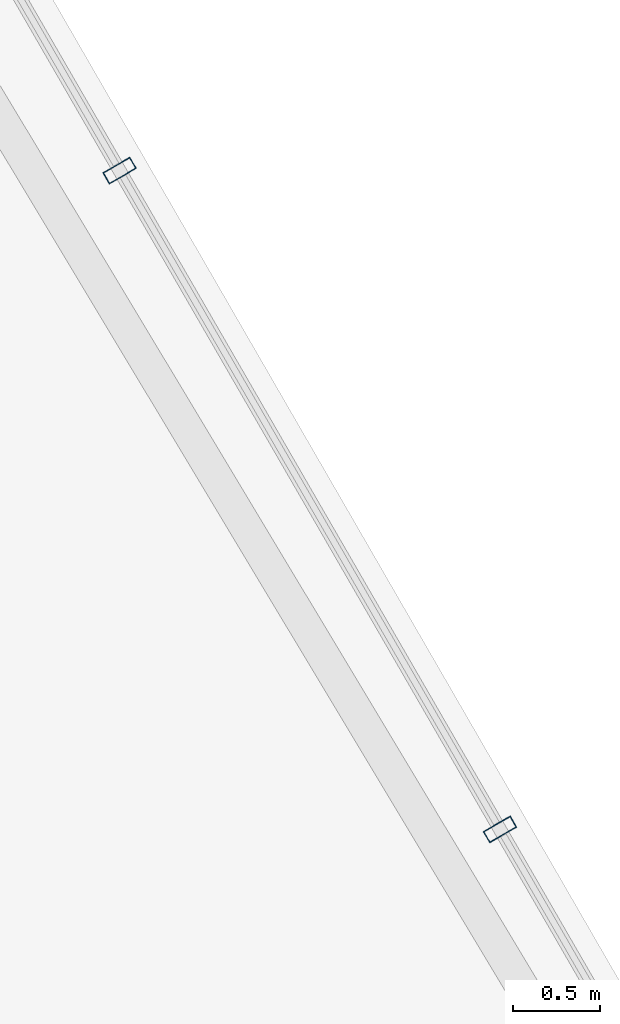
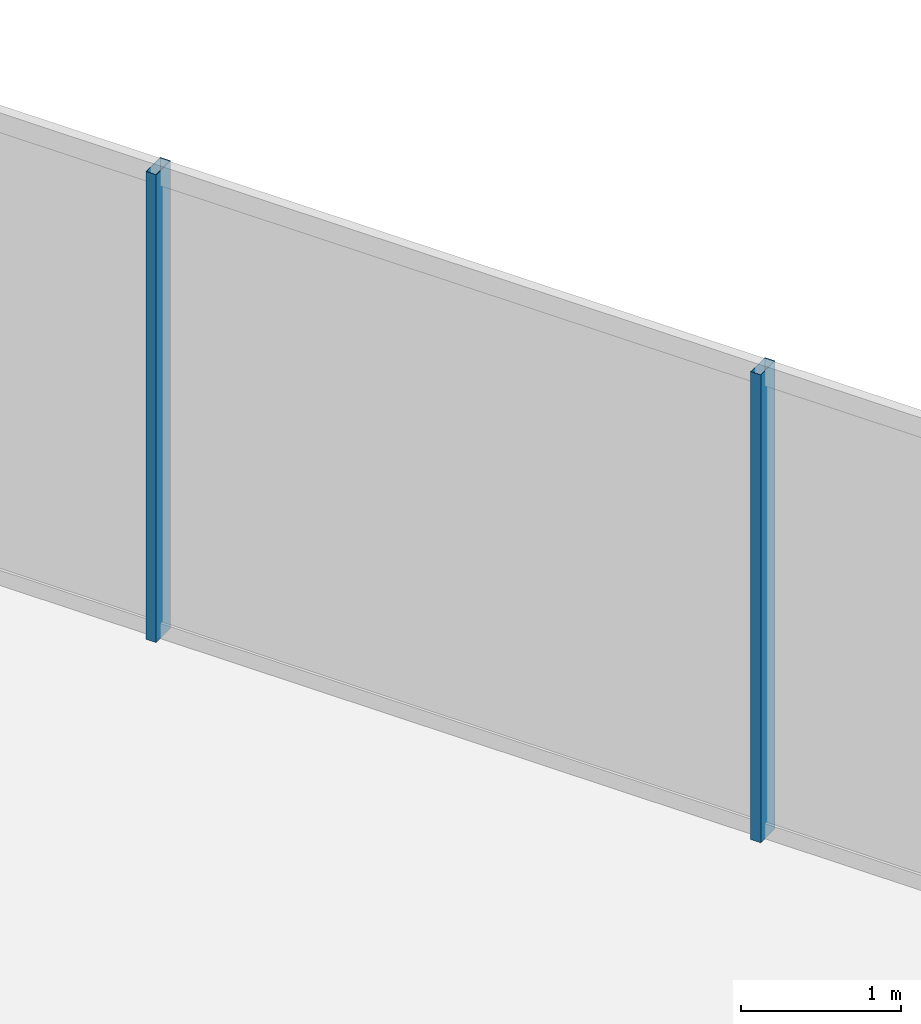
# One storey, part 19 of 29: 2 members, 1 element without a shape of its own.
"""IFC4 building model written with IfcOpenShell, lengths in metres."""

import ifcopenshell
import ifcopenshell.guid

model = None  # the IFC model being written
_history = None  # IfcOwnerHistory: only IFC2X3 demands one
_inside = {}  # id of a spatial element -> (the spatial element, [elements in it])
_under = {}  # id of a project, library or spatial element -> (it, [spatial elements below it])
_declared = {}  # id of a project -> (the project, [libraries it declares])
_typed = {}  # id of a type object -> (the type object, [elements of that type])
_made_of = {}  # id of a material, layer set ... -> (it, [elements and type objects made of it])


def new_model(schema):
    """Start an empty IFC model of exactly this schema.

    Asked for "IFC4X3", IfcOpenShell would pick the latest addendum, in which some entities
    have other attributes; the version numbers below select the first issue.
    IFC2X3 requires an IfcOwnerHistory on every rooted entity: one is made here for all.
    """
    global model, _history
    if schema == "IFC4X3":
        model = ifcopenshell.file(schema_version=(4, 3, 0, 0))
    else:
        model = ifcopenshell.file(schema=schema)
    _inside.clear()
    _under.clear()
    _declared.clear()
    _typed.clear()
    _made_of.clear()
    _history = None
    if model.schema == "IFC2X3":
        org = make("IfcOrganization", Name="unknown")
        user = make(
            "IfcPersonAndOrganization",
            ThePerson=make("IfcPerson", FamilyName="unknown"),
            TheOrganization=org,
        )
        app = make(
            "IfcApplication",
            ApplicationDeveloper=org,
            Version="unknown",
            ApplicationFullName="unknown",
            ApplicationIdentifier="unknown",
        )
        _history = make(
            "IfcOwnerHistory",
            OwningUser=user,
            OwningApplication=app,
            ChangeAction="ADDED",
            CreationDate=0,
        )
    return model


def make(cls, **values):
    """One entity of the class cls with the attributes given. An attribute that is None is left unset."""
    return model.create_entity(
        cls, **{name: value for name, value in values.items() if value is not None}
    )


def rooted(cls, **values):
    """An entity with a GlobalId (a new one), such as an element, a storey or a relation."""
    return make(cls, GlobalId=ifcopenshell.guid.new(), OwnerHistory=_history, **values)


def si_unit(unit_type, name, prefix=None):
    """IfcSIUnit, for example si_unit("LENGTHUNIT", "METRE", prefix="MILLI")."""
    return make("IfcSIUnit", UnitType=unit_type, Prefix=prefix, Name=name)


def assignment(units):
    """IfcUnitAssignment: the units of a project."""
    return None if units is None else make("IfcUnitAssignment", Units=units)


def point(xyz):
    """IfcCartesianPoint."""
    return None if xyz is None else make("IfcCartesianPoint", Coordinates=xyz)


def direction(xyz):
    """IfcDirection."""
    return None if xyz is None else make("IfcDirection", DirectionRatios=xyz)


def frame(location, z_axis=None, x_axis=None):
    """IfcAxis2Placement3D, a coordinate frame: its origin and axes. An axis left out is left unset."""
    return make(
        "IfcAxis2Placement3D",
        Location=point(location),
        Axis=direction(z_axis),
        RefDirection=direction(x_axis),
    )


def frame_2d(location, x_axis=None):
    """IfcAxis2Placement2D, a coordinate frame in the plane: its origin and x axis."""
    return make(
        "IfcAxis2Placement2D", Location=point(location), RefDirection=direction(x_axis)
    )


def origin():
    """The frame at (0, 0, 0) with its axes left unset."""
    return frame((0.0, 0.0, 0.0))


def origin_2d():
    """The frame at (0, 0) in the plane with its x axis left unset."""
    return frame_2d((0.0, 0.0))


def place(relative_to, where):
    """IfcLocalPlacement: puts the frame where relative to a parent placement (None: the world)."""
    return make(
        "IfcLocalPlacement", PlacementRelTo=relative_to, RelativePlacement=where
    )


def context(
    kind, dimensions, precision=None, world=None, true_north=None, identifier=None
):
    """IfcGeometricRepresentationContext, for example the 3D "Model" context."""
    return make(
        "IfcGeometricRepresentationContext",
        ContextIdentifier=identifier,
        ContextType=kind,
        CoordinateSpaceDimension=dimensions,
        Precision=precision,
        WorldCoordinateSystem=world,
        TrueNorth=true_north,
    )


def subcontext(parent, identifier, kind, view, scale=None):
    """IfcGeometricRepresentationSubContext, for example "Body" below "Model"."""
    return make(
        "IfcGeometricRepresentationSubContext",
        ContextIdentifier=identifier,
        ContextType=kind,
        ParentContext=parent,
        TargetScale=scale,
        TargetView=view,
    )


def project(units=None, contexts=None):
    """IfcProject with its units and contexts."""
    return rooted(
        "IfcProject",
        Name="project",
        RepresentationContexts=contexts,
        UnitsInContext=assignment(units),
    )


def spatial(cls, under=None, at=None, **own):
    """A site, building, storey or space (cls), placed at a placement, below another one or the project."""
    s = rooted(cls, ObjectPlacement=at, **own)
    if under is not None:
        _under.setdefault(under.id(), (under, []))[1].append(s)
    return s


def profile(cls, at=None, kind="AREA", **sizes):
    """A parametric profile (cls). Its sizes go by their IFC names, for example OverallWidth=200.0."""
    return make(cls, ProfileType=kind, Position=at, **sizes)


def hollow_rectangle(**sizes):
    """IfcRectangleHollowProfileDef."""
    return profile("IfcRectangleHollowProfileDef", **sizes)


def extrude(swept, where, along, depth):
    """IfcExtrudedAreaSolid: the profile swept, set in the frame where, extruded along a direction by depth."""
    return make(
        "IfcExtrudedAreaSolid",
        SweptArea=swept,
        Position=where,
        ExtrudedDirection=direction(along),
        Depth=depth,
    )


def shape(context_of_items, identifier, shape_type, items):
    """IfcShapeRepresentation: the items that make up one representation, for example the "Body"."""
    return make(
        "IfcShapeRepresentation",
        ContextOfItems=context_of_items,
        RepresentationIdentifier=identifier,
        RepresentationType=shape_type,
        Items=items,
    )


def material(Name=None, Category=None):
    """IfcMaterial."""
    return make("IfcMaterial", Name=Name, Category=Category)


def layer(
    of_material, thickness, ventilated=None, Name=None, Category=None, Priority=None
):
    """IfcMaterialLayer: one layer of a wall or slab, of a material (None: an air gap)."""
    return make(
        "IfcMaterialLayer",
        Material=of_material,
        LayerThickness=thickness,
        IsVentilated=ventilated,
        Name=Name,
        Category=Category,
        Priority=Priority,
    )


def layer_set(layers, Name=None):
    """IfcMaterialLayerSet."""
    return make("IfcMaterialLayerSet", MaterialLayers=layers, LayerSetName=Name)


def material_profile(
    of_material, cross_section, Name=None, Category=None, Priority=None
):
    """IfcMaterialProfile: a cross section and its material."""
    return make(
        "IfcMaterialProfile",
        Name=Name,
        Material=of_material,
        Profile=cross_section,
        Priority=Priority,
        Category=Category,
    )


def profile_set(profiles, Name=None, composite=None):
    """IfcMaterialProfileSet."""
    return make(
        "IfcMaterialProfileSet",
        Name=Name,
        MaterialProfiles=profiles,
        CompositeProfile=composite,
    )


def made_of(thing, what):
    """Note that an element or type object is made of a material, layer set ...; save() writes the relation."""
    if what is not None:
        _made_of.setdefault(what.id(), (what, []))[1].append(thing)
    return thing


def type_object(cls, material=None, **own):
    """A type object (cls), such as IfcWallType, which elements share."""
    return made_of(rooted(cls, **own), material)


def element(
    cls,
    number,
    at=None,
    inside=None,
    cuts=None,
    type_object=None,
    material=None,
    context=None,
    identifier="Body",
    shape_type=None,
    held_by="IfcProductDefinitionShape",
    body=None,
    shapes=None,
    **own,
):
    """One element of the class cls, such as IfcWall. Its Tag is "e" and its number.

    at: its placement. inside: the storey or other place that contains it. cuts: it is an
    opening in that element (IfcRelVoidsElement). A single representation is given by context,
    identifier, shape_type and body (its items); several are given by shapes. held_by: the class
    of the entity that holds the representations. save() writes the other relations.
    """
    e = rooted(cls, Tag="e%d" % number, ObjectPlacement=at, **own)
    if body is not None:
        shapes = [shape(context, identifier, shape_type, body)]
    if shapes is not None:
        e.Representation = make(held_by, Representations=shapes)
    if inside is not None:
        _inside.setdefault(inside.id(), (inside, []))[1].append(e)
    if cuts is not None:
        rooted(
            "IfcRelVoidsElement", RelatingBuildingElement=cuts, RelatedOpeningElement=e
        )
    if type_object is not None:
        _typed.setdefault(type_object.id(), (type_object, []))[1].append(e)
    return made_of(e, material)


def aggregate(whole, parts):
    """IfcRelAggregates: a whole, such as a stair, and the parts it consists of."""
    return rooted("IfcRelAggregates", RelatingObject=whole, RelatedObjects=parts)


def save(model, path):
    """Write the relations noted so far, then the file.

    IfcRelAggregates (storeys below a building ...), IfcRelContainedInSpatialStructure (elements
    in a storey), IfcRelDefinesByType, IfcRelAssociatesMaterial and IfcRelDeclares: one each for
    every whole, place, type object, material and project.
    """
    for whole, parts in _under.values():
        aggregate(whole, parts)
    for where, things in _inside.values():
        rooted(
            "IfcRelContainedInSpatialStructure",
            RelatedElements=things,
            RelatingStructure=where,
        )
    for kind, things in _typed.values():
        rooted("IfcRelDefinesByType", RelatedObjects=things, RelatingType=kind)
    for what, things in _made_of.values():
        rooted("IfcRelAssociatesMaterial", RelatedObjects=things, RelatingMaterial=what)
    for by, libraries in _declared.values():
        rooted("IfcRelDeclares", RelatingContext=by, RelatedDefinitions=libraries)
    model.write(path)


model = new_model("IFC4")

# Units and contexts
model_context = context("Model", 3, precision=1e-05, world=origin(), true_north=direction((0.0, 1.0)))
body_context = subcontext(model_context, "Body", "Model", "MODEL_VIEW")
ifc_project = project(units=[si_unit("LENGTHUNIT", "METRE"), si_unit("AREAUNIT", "SQUARE_METRE"), si_unit("VOLUMEUNIT", "CUBIC_METRE"), si_unit("PLANEANGLEUNIT", "RADIAN"), si_unit("MASSUNIT", "GRAM", prefix="KILO")], contexts=[model_context])

# Site, building, storey
site_placement = place(None, origin())
site = spatial("IfcSite", under=ifc_project, at=site_placement, CompositionType="ELEMENT")
building_placement = place(site_placement, origin())
building = spatial("IfcBuilding", under=site, at=building_placement, Name="Ndaravel Arena Tower", CompositionType="ELEMENT")
storey_placement = place(building_placement, frame((0.0, 0.0, 248.39990234375)))
storey = spatial("IfcBuildingStorey", under=building, at=storey_placement, Name="L60", CompositionType="ELEMENT", Elevation=248.39990234375)

# Curtain wall, members
ifc_material_1 = material(Name="Aluminium", Category="aluminium")
ifc_layer = layer(ifc_material_1, 0.179931640625)
ifc_layer_set = layer_set([ifc_layer], Name="Aluminium")
curtain_wall_type = type_object("IfcCurtainWallType", Name="CW-SYS-03", PredefinedType="NOTDEFINED", material=ifc_layer_set)
curtain_wall_placement = place(storey_placement, origin())
curtain_wall = element("IfcCurtainWall", 1, at=curtain_wall_placement, inside=storey, type_object=curtain_wall_type, Name="L60 Faceted Crystal Curtain Wall CW-L60-E03", PredefinedType="NOTDEFINED")
ifc_material_2 = material(Name="Aluminium", Category="aluminium")
ifc_material_profile = material_profile(ifc_material_2, hollow_rectangle(XDim=0.074951171875, YDim=0.179931640625, WallThickness=0.00390625, at=origin_2d()), Name="CW MULLION 75x180x4")
ifc_profile_set = profile_set([ifc_material_profile], Name="Aluminium")
member_type = type_object("IfcMemberType", Name="MEM-CW-MUL180", PredefinedType="MULLION", material=ifc_profile_set)
member_1_placement = place(storey_placement, frame((54.0556640625, 29.830810546875, 0.0), z_axis=(0.0, 0.0, 1.0), x_axis=(-0.5, 0.866025403784, 0.0)))
member_1 = element("IfcMember", 2, at=member_1_placement, type_object=member_type, Name="CW-L60-E03 Mullion 05", PredefinedType="MULLION", context=body_context, shape_type="SweptSolid", body=[
    extrude(hollow_rectangle(XDim=0.074951171875, YDim=0.179931640625, WallThickness=0.00390625, at=origin_2d()), origin(), (0.0, 0.0, 1.0), 3.580078125),
])
member_2_placement = place(storey_placement, frame((51.86767578125, 33.620361328125, 0.0), z_axis=(0.0, 0.0, 1.0), x_axis=(-0.5, 0.866025403784, 0.0)))
member_2 = element("IfcMember", 3, at=member_2_placement, type_object=member_type, Name="CW-L60-E03 Mullion 06", PredefinedType="MULLION", context=body_context, shape_type="SweptSolid", body=[
    extrude(hollow_rectangle(XDim=0.074951171875, YDim=0.179931640625, WallThickness=0.00390625, at=origin_2d()), origin(), (0.0, 0.0, 1.0), 3.580078125),
])
aggregate(curtain_wall, [member_1, member_2])

save(model, "model.ifc")
